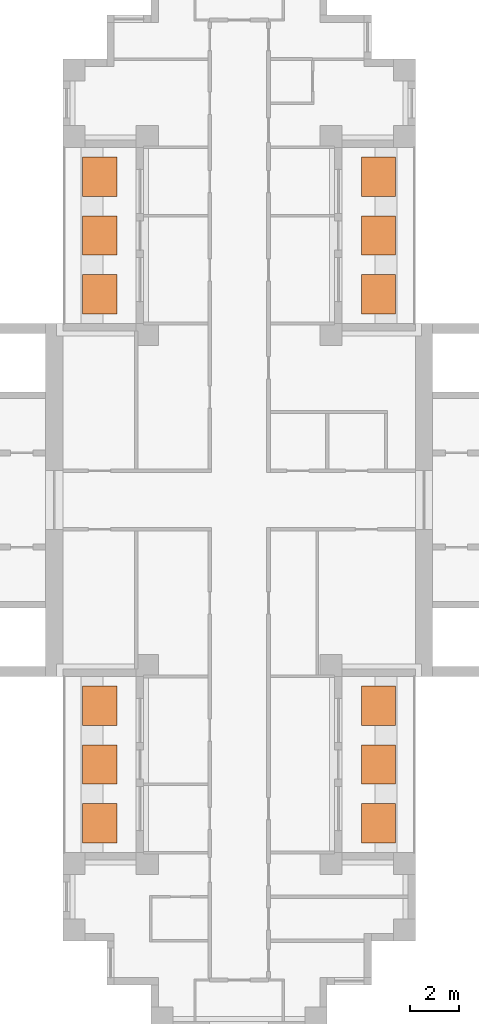
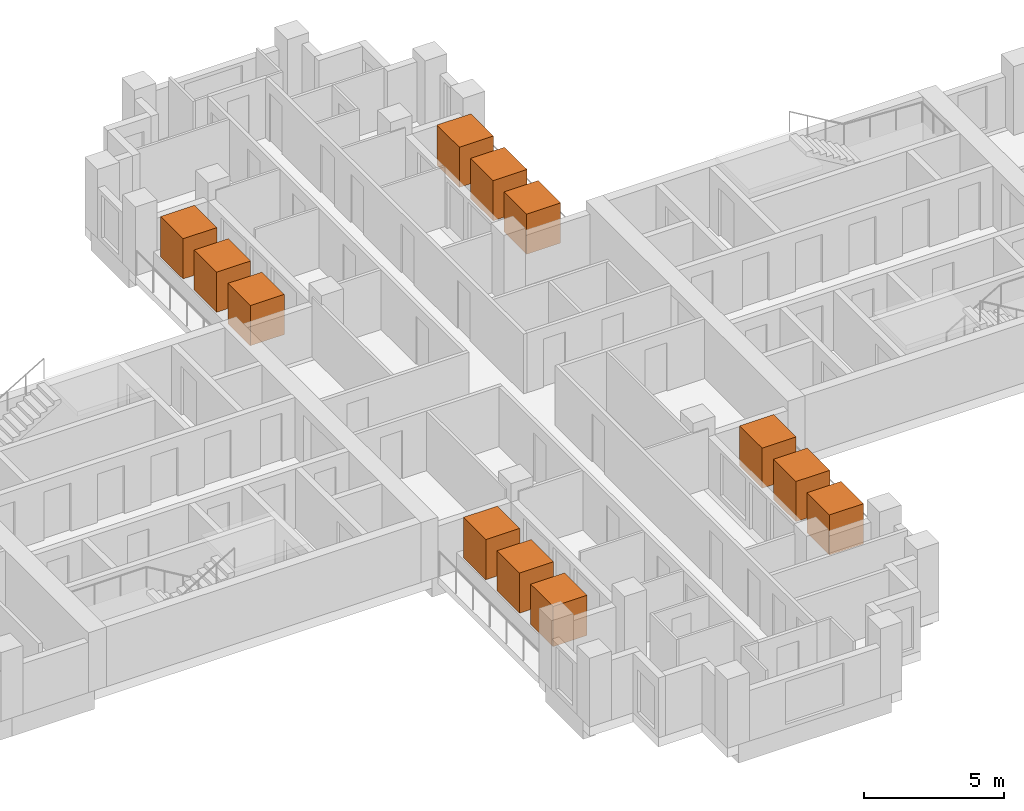
# One storey, part 10 of 10: 12 geographic elements.
"""IFC4 building model written with IfcOpenShell, lengths in metres."""

from ifc_helpers import new_model, si_unit, direction, frame, origin, origin_2d, place, context, subcontext, project, spatial, rectangle, extrude, material, element, save


model = new_model("IFC4")

# Units and contexts
model_context = context("Model", 3, precision=1e-05, world=origin(), true_north=direction((0.0, 1.0)))
body_context = subcontext(model_context, "Body", "Model", "MODEL_VIEW")
ifc_project = project(units=[si_unit("LENGTHUNIT", "METRE"), si_unit("AREAUNIT", "SQUARE_METRE"), si_unit("VOLUMEUNIT", "CUBIC_METRE"), si_unit("PLANEANGLEUNIT", "RADIAN"), si_unit("MASSUNIT", "GRAM", prefix="KILO")], contexts=[model_context])

# Site, building, storey
site_placement = place(None, origin())
site = spatial("IfcSite", under=ifc_project, at=site_placement, CompositionType="ELEMENT")
building_placement = place(site_placement, origin())
building = spatial("IfcBuilding", under=site, at=building_placement, Name="Fustian Cross Tower", CompositionType="ELEMENT")
storey_placement = place(building_placement, frame((0.0, 0.0, 182.699951171875)))
storey = spatial("IfcBuildingStorey", under=building, at=storey_placement, Name="L57", CompositionType="ELEMENT", Elevation=182.699951171875)

# Geographic elements
ifc_material = material(Name="Evergreen foliage")
for number, where, z_axis, x_axis, name in (
    (1, (5.68994140625, 8.39990234375, 0.800048828125), (0.0, 0.0, 1.0), (1.0, 0.0, 0.0), "TREE field maple"),
    (2, (5.68994140625, 10.800048828125, 0.800048828125), (0.0, 0.0, 1.0), (1.0, 0.0, 0.0), "TREE field maple"),
    (3, (5.68994140625, 13.199951171875, 0.800048828125), (0.0, 0.0, 1.0), (1.0, 0.0, 0.0), "TREE field maple"),
    (4, (-5.68994140625, 8.39990234375, 0.800048828125), (0.0, 0.0, 1.0), (1.0, 0.0, 0.0), "TREE field maple"),
    (5, (-5.68994140625, 10.800048828125, 0.800048828125), (0.0, 0.0, 1.0), (1.0, 0.0, 0.0), "TREE field maple"),
    (6, (-5.68994140625, 13.199951171875, 0.800048828125), (0.0, 0.0, 1.0), (1.0, 0.0, 0.0), "TREE field maple"),
    (7, (5.68994140625, -13.199951171875, 0.800048828125), (0.0, 0.0, 1.0), (1.0, 0.0, 0.0), "TREE field maple"),
    (8, (5.68994140625, -10.800048828125, 0.800048828125), (0.0, 0.0, 1.0), (1.0, 0.0, 0.0), "TREE field maple"),
    (9, (5.68994140625, -8.39990234375, 0.800048828125), (0.0, 0.0, 1.0), (1.0, 0.0, 0.0), "TREE field maple"),
    (10, (-5.68994140625, -13.199951171875, 0.800048828125), (0.0, 0.0, 1.0), (1.0, 0.0, 0.0), "TREE field maple"),
    (11, (-5.68994140625, -10.800048828125, 0.800048828125), (0.0, 0.0, 1.0), (1.0, 0.0, 0.0), "TREE field maple"),
    (12, (-5.68994140625, -8.39990234375, 0.800048828125), (0.0, 0.0, 1.0), (1.0, 0.0, 0.0), "TREE field maple"),
):
    element("IfcGeographicElement", number, at=place(storey_placement, frame(where, z_axis=z_axis, x_axis=x_axis)), inside=storey, material=ifc_material, Name=name, ObjectType="VEGETATION", PredefinedType="USERDEFINED", context=body_context, shape_type="SweptSolid", body=[
        extrude(rectangle(XDim=1.39990234375, YDim=1.60009765625, at=origin_2d()), origin(), (0.0, 0.0, 1.0), 1.75),
    ])

save(model, "model.ifc")
